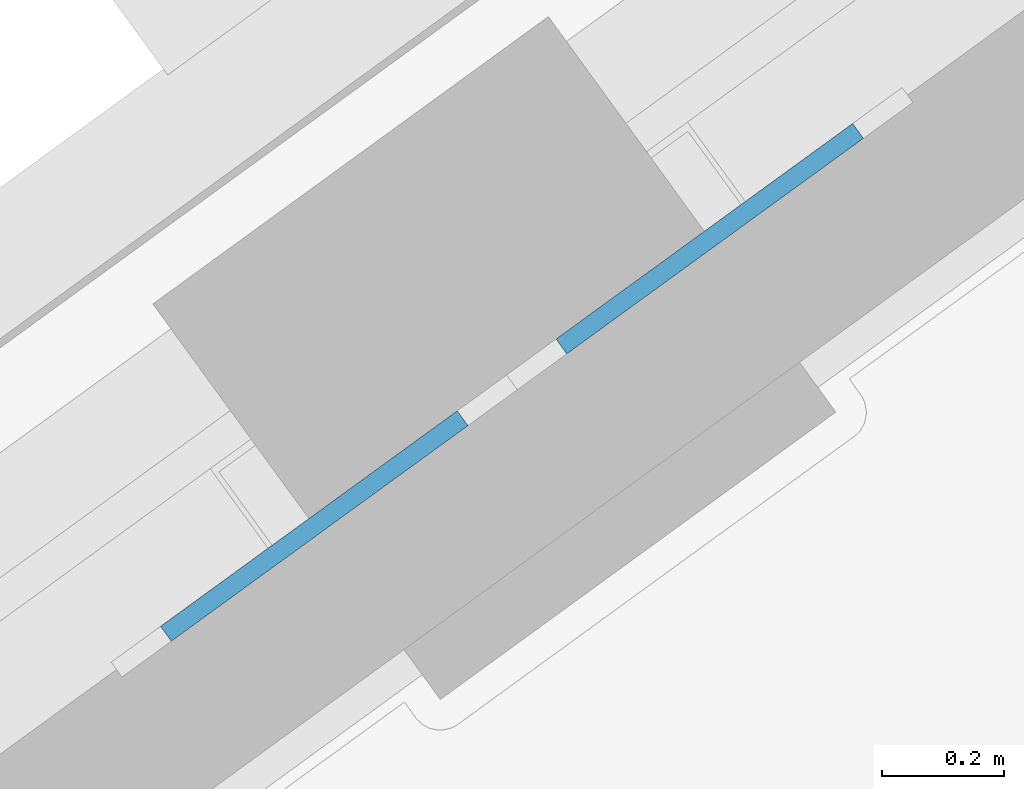
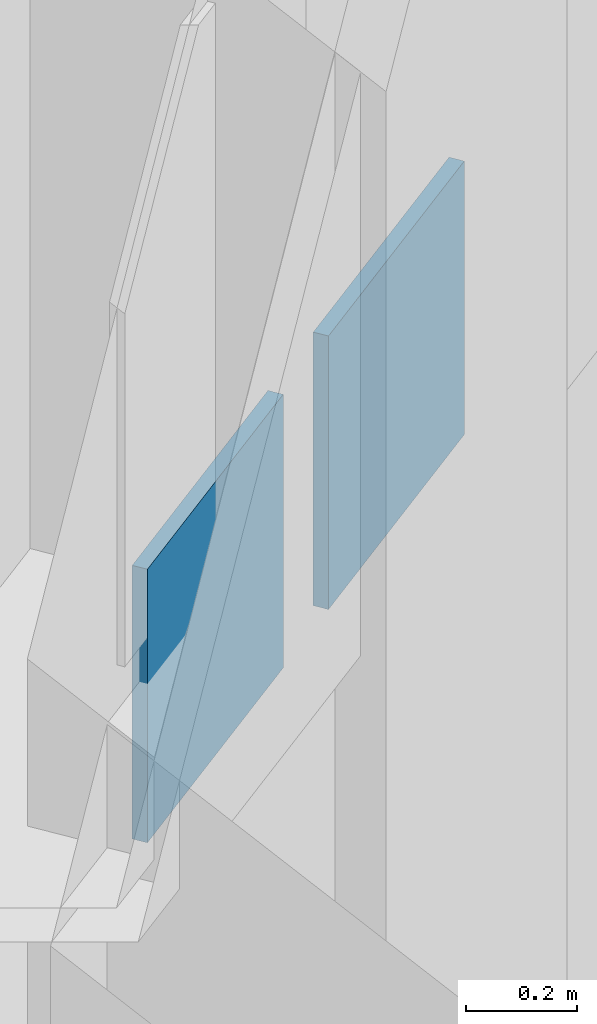
# One storey, part 7 of 15: 2 plates.
"""IFC4 building model written with IfcOpenShell, lengths in metres."""

from ifc_helpers import new_model, si_unit, direction, frame, origin, origin_2d, place, context, subcontext, project, spatial, rectangle, extrude, material, layer, layer_set, type_object, element, save


model = new_model("IFC4")

# Units and contexts
model_context = context("Model", 3, precision=1e-05, world=origin(), true_north=direction((0.0, 1.0)))
body_context = subcontext(model_context, "Body", "Model", "MODEL_VIEW")
ifc_project = project(units=[si_unit("LENGTHUNIT", "METRE"), si_unit("AREAUNIT", "SQUARE_METRE"), si_unit("VOLUMEUNIT", "CUBIC_METRE"), si_unit("PLANEANGLEUNIT", "RADIAN"), si_unit("MASSUNIT", "GRAM", prefix="KILO")], contexts=[model_context])

# Site, building, storey
site_placement = place(None, origin())
site = spatial("IfcSite", under=ifc_project, at=site_placement, CompositionType="ELEMENT")
building_placement = place(site_placement, origin())
building = spatial("IfcBuilding", under=site, at=building_placement, Name="Quipu Civic Tower", CompositionType="ELEMENT")
storey_placement = place(building_placement, frame((0.0, 0.0, 301.0)))
storey = spatial("IfcBuildingStorey", under=building, at=storey_placement, Name="L70", CompositionType="ELEMENT", Elevation=301.0)

# Plates
ifc_material = material(Name="Steel ASTM A572 Grade 50 (fy 345 MPa)", Category="steel")
ifc_layer = layer(ifc_material, 0.030029296875)
ifc_layer_set = layer_set([ifc_layer], Name="Steel ASTM A572 Grade 50 (fy 345 MPa)")
plate_type = type_object("IfcPlateType", Name="Cast in plate TD4", PredefinedType="SHEET", material=ifc_layer_set)
for number, where, z_axis, x_axis, name in (
    (1, (-32.284423828125, 17.58837890625, 3.849853515625), (0.0, 0.0, 1.0), (0.80902725304, 0.587771132193, 0.0), "Cast-in plate TD4 L70 063"),
    (2, (-32.931640625, 17.1181640625, 3.849853515625), (0.0, 0.0, 1.0), (0.80902725304, 0.587771132193, 0.0), "Cast-in plate TD4 L70 066"),
):
    element("IfcPlate", number, at=place(storey_placement, frame(where, z_axis=z_axis, x_axis=x_axis)), inside=storey, type_object=plate_type, Name=name, PredefinedType="SHEET", context=body_context, shape_type="SweptSolid", body=[
        extrude(rectangle(XDim=0.60009765625, YDim=0.030029296875, at=origin_2d()), origin(), (0.0, 0.0, 1.0), 0.60009765625),
    ])

save(model, "model.ifc")
